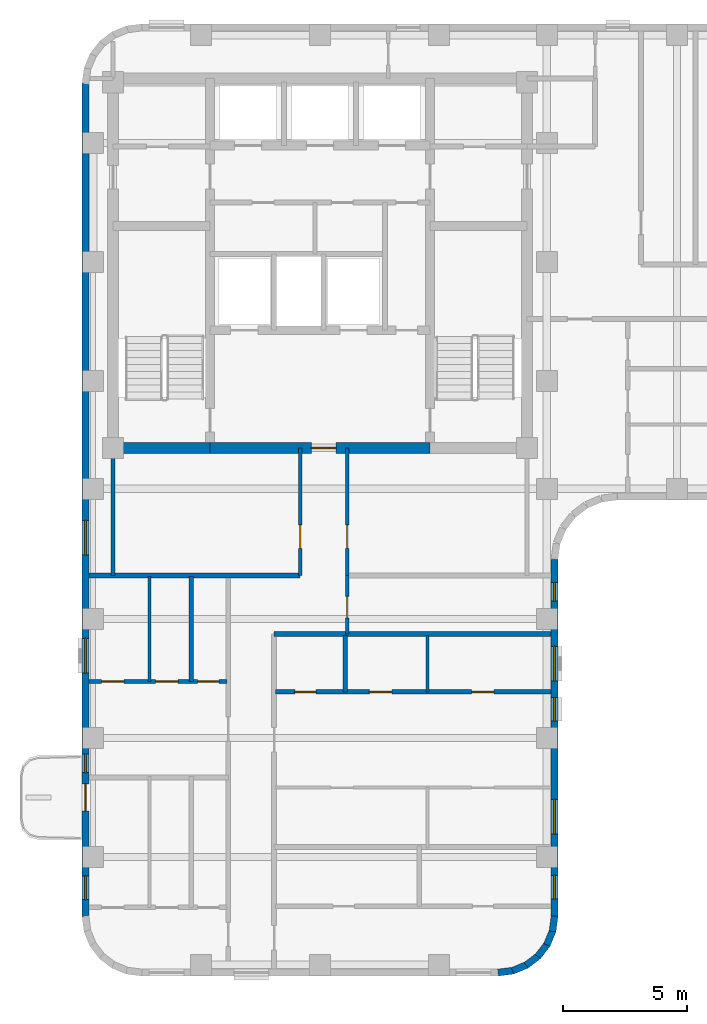
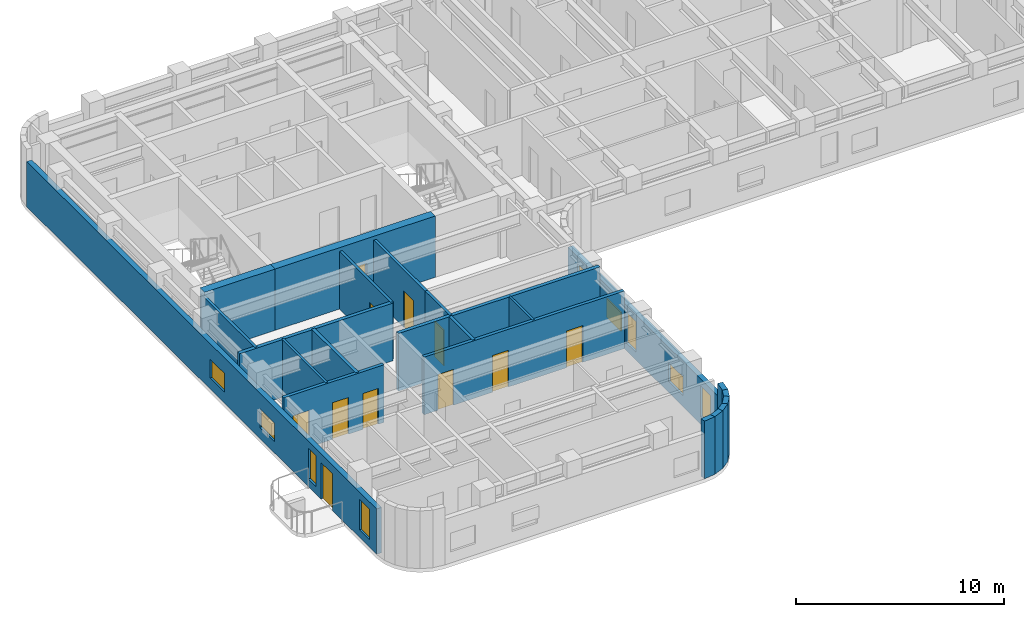
# One storey, part 3 of 10: 22 walls, 11 doors, 9 windows, 20 openings.
"""IFC4 building model written with IfcOpenShell, lengths in metres."""

import ifcopenshell
import ifcopenshell.guid

model = None  # the IFC model being written
_history = None  # IfcOwnerHistory: only IFC2X3 demands one
_inside = {}  # id of a spatial element -> (the spatial element, [elements in it])
_under = {}  # id of a project, library or spatial element -> (it, [spatial elements below it])
_declared = {}  # id of a project -> (the project, [libraries it declares])
_typed = {}  # id of a type object -> (the type object, [elements of that type])
_made_of = {}  # id of a material, layer set ... -> (it, [elements and type objects made of it])


def new_model(schema):
    """Start an empty IFC model of exactly this schema.

    Asked for "IFC4X3", IfcOpenShell would pick the latest addendum, in which some entities
    have other attributes; the version numbers below select the first issue.
    IFC2X3 requires an IfcOwnerHistory on every rooted entity: one is made here for all.
    """
    global model, _history
    if schema == "IFC4X3":
        model = ifcopenshell.file(schema_version=(4, 3, 0, 0))
    else:
        model = ifcopenshell.file(schema=schema)
    _inside.clear()
    _under.clear()
    _declared.clear()
    _typed.clear()
    _made_of.clear()
    _history = None
    if model.schema == "IFC2X3":
        org = make("IfcOrganization", Name="unknown")
        user = make(
            "IfcPersonAndOrganization",
            ThePerson=make("IfcPerson", FamilyName="unknown"),
            TheOrganization=org,
        )
        app = make(
            "IfcApplication",
            ApplicationDeveloper=org,
            Version="unknown",
            ApplicationFullName="unknown",
            ApplicationIdentifier="unknown",
        )
        _history = make(
            "IfcOwnerHistory",
            OwningUser=user,
            OwningApplication=app,
            ChangeAction="ADDED",
            CreationDate=0,
        )
    return model


def make(cls, **values):
    """One entity of the class cls with the attributes given. An attribute that is None is left unset."""
    return model.create_entity(
        cls, **{name: value for name, value in values.items() if value is not None}
    )


def rooted(cls, **values):
    """An entity with a GlobalId (a new one), such as an element, a storey or a relation."""
    return make(cls, GlobalId=ifcopenshell.guid.new(), OwnerHistory=_history, **values)


def si_unit(unit_type, name, prefix=None):
    """IfcSIUnit, for example si_unit("LENGTHUNIT", "METRE", prefix="MILLI")."""
    return make("IfcSIUnit", UnitType=unit_type, Prefix=prefix, Name=name)


def assignment(units):
    """IfcUnitAssignment: the units of a project."""
    return None if units is None else make("IfcUnitAssignment", Units=units)


def point(xyz):
    """IfcCartesianPoint."""
    return None if xyz is None else make("IfcCartesianPoint", Coordinates=xyz)


def direction(xyz):
    """IfcDirection."""
    return None if xyz is None else make("IfcDirection", DirectionRatios=xyz)


def frame(location, z_axis=None, x_axis=None):
    """IfcAxis2Placement3D, a coordinate frame: its origin and axes. An axis left out is left unset."""
    return make(
        "IfcAxis2Placement3D",
        Location=point(location),
        Axis=direction(z_axis),
        RefDirection=direction(x_axis),
    )


def frame_2d(location, x_axis=None):
    """IfcAxis2Placement2D, a coordinate frame in the plane: its origin and x axis."""
    return make(
        "IfcAxis2Placement2D", Location=point(location), RefDirection=direction(x_axis)
    )


def origin():
    """The frame at (0, 0, 0) with its axes left unset."""
    return frame((0.0, 0.0, 0.0))


def place(relative_to, where):
    """IfcLocalPlacement: puts the frame where relative to a parent placement (None: the world)."""
    return make(
        "IfcLocalPlacement", PlacementRelTo=relative_to, RelativePlacement=where
    )


def context(
    kind, dimensions, precision=None, world=None, true_north=None, identifier=None
):
    """IfcGeometricRepresentationContext, for example the 3D "Model" context."""
    return make(
        "IfcGeometricRepresentationContext",
        ContextIdentifier=identifier,
        ContextType=kind,
        CoordinateSpaceDimension=dimensions,
        Precision=precision,
        WorldCoordinateSystem=world,
        TrueNorth=true_north,
    )


def subcontext(parent, identifier, kind, view, scale=None):
    """IfcGeometricRepresentationSubContext, for example "Body" below "Model"."""
    return make(
        "IfcGeometricRepresentationSubContext",
        ContextIdentifier=identifier,
        ContextType=kind,
        ParentContext=parent,
        TargetScale=scale,
        TargetView=view,
    )


def project(units=None, contexts=None):
    """IfcProject with its units and contexts."""
    return rooted(
        "IfcProject",
        Name="project",
        RepresentationContexts=contexts,
        UnitsInContext=assignment(units),
    )


def spatial(cls, under=None, at=None, **own):
    """A site, building, storey or space (cls), placed at a placement, below another one or the project."""
    s = rooted(cls, ObjectPlacement=at, **own)
    if under is not None:
        _under.setdefault(under.id(), (under, []))[1].append(s)
    return s


def profile(cls, at=None, kind="AREA", **sizes):
    """A parametric profile (cls). Its sizes go by their IFC names, for example OverallWidth=200.0."""
    return make(cls, ProfileType=kind, Position=at, **sizes)


def rectangle(**sizes):
    """IfcRectangleProfileDef."""
    return profile("IfcRectangleProfileDef", **sizes)


def extrude(swept, where, along, depth):
    """IfcExtrudedAreaSolid: the profile swept, set in the frame where, extruded along a direction by depth."""
    return make(
        "IfcExtrudedAreaSolid",
        SweptArea=swept,
        Position=where,
        ExtrudedDirection=direction(along),
        Depth=depth,
    )


def shape(context_of_items, identifier, shape_type, items):
    """IfcShapeRepresentation: the items that make up one representation, for example the "Body"."""
    return make(
        "IfcShapeRepresentation",
        ContextOfItems=context_of_items,
        RepresentationIdentifier=identifier,
        RepresentationType=shape_type,
        Items=items,
    )


def material(Name=None, Category=None):
    """IfcMaterial."""
    return make("IfcMaterial", Name=Name, Category=Category)


def layer(
    of_material, thickness, ventilated=None, Name=None, Category=None, Priority=None
):
    """IfcMaterialLayer: one layer of a wall or slab, of a material (None: an air gap)."""
    return make(
        "IfcMaterialLayer",
        Material=of_material,
        LayerThickness=thickness,
        IsVentilated=ventilated,
        Name=Name,
        Category=Category,
        Priority=Priority,
    )


def layer_set(layers, Name=None):
    """IfcMaterialLayerSet."""
    return make("IfcMaterialLayerSet", MaterialLayers=layers, LayerSetName=Name)


def made_of(thing, what):
    """Note that an element or type object is made of a material, layer set ...; save() writes the relation."""
    if what is not None:
        _made_of.setdefault(what.id(), (what, []))[1].append(thing)
    return thing


def type_object(cls, material=None, **own):
    """A type object (cls), such as IfcWallType, which elements share."""
    return made_of(rooted(cls, **own), material)


def element(
    cls,
    number,
    at=None,
    inside=None,
    cuts=None,
    type_object=None,
    material=None,
    context=None,
    identifier="Body",
    shape_type=None,
    held_by="IfcProductDefinitionShape",
    body=None,
    shapes=None,
    **own,
):
    """One element of the class cls, such as IfcWall. Its Tag is "e" and its number.

    at: its placement. inside: the storey or other place that contains it. cuts: it is an
    opening in that element (IfcRelVoidsElement). A single representation is given by context,
    identifier, shape_type and body (its items); several are given by shapes. held_by: the class
    of the entity that holds the representations. save() writes the other relations.
    """
    e = rooted(cls, Tag="e%d" % number, ObjectPlacement=at, **own)
    if body is not None:
        shapes = [shape(context, identifier, shape_type, body)]
    if shapes is not None:
        e.Representation = make(held_by, Representations=shapes)
    if inside is not None:
        _inside.setdefault(inside.id(), (inside, []))[1].append(e)
    if cuts is not None:
        rooted(
            "IfcRelVoidsElement", RelatingBuildingElement=cuts, RelatedOpeningElement=e
        )
    if type_object is not None:
        _typed.setdefault(type_object.id(), (type_object, []))[1].append(e)
    return made_of(e, material)


def fill(opening, filler):
    """IfcRelFillsElement: the door or window that sits in an opening."""
    return rooted(
        "IfcRelFillsElement",
        RelatingOpeningElement=opening,
        RelatedBuildingElement=filler,
    )


def aggregate(whole, parts):
    """IfcRelAggregates: a whole, such as a stair, and the parts it consists of."""
    return rooted("IfcRelAggregates", RelatingObject=whole, RelatedObjects=parts)


def save(model, path):
    """Write the relations noted so far, then the file.

    IfcRelAggregates (storeys below a building ...), IfcRelContainedInSpatialStructure (elements
    in a storey), IfcRelDefinesByType, IfcRelAssociatesMaterial and IfcRelDeclares: one each for
    every whole, place, type object, material and project.
    """
    for whole, parts in _under.values():
        aggregate(whole, parts)
    for where, things in _inside.values():
        rooted(
            "IfcRelContainedInSpatialStructure",
            RelatedElements=things,
            RelatingStructure=where,
        )
    for kind, things in _typed.values():
        rooted("IfcRelDefinesByType", RelatedObjects=things, RelatingType=kind)
    for what, things in _made_of.values():
        rooted("IfcRelAssociatesMaterial", RelatedObjects=things, RelatingMaterial=what)
    for by, libraries in _declared.values():
        rooted("IfcRelDeclares", RelatingContext=by, RelatedDefinitions=libraries)
    model.write(path)


model = new_model("IFC4")

# Units and contexts
model_context = context("Model", 3, precision=1e-05, world=origin(), true_north=direction((0.0, 1.0)))
body_context = subcontext(model_context, "Body", "Model", "MODEL_VIEW")
ifc_project = project(units=[si_unit("LENGTHUNIT", "METRE"), si_unit("AREAUNIT", "SQUARE_METRE"), si_unit("VOLUMEUNIT", "CUBIC_METRE"), si_unit("PLANEANGLEUNIT", "RADIAN"), si_unit("MASSUNIT", "GRAM", prefix="KILO")], contexts=[model_context])

# Site, building, storey
site_placement = place(None, origin())
site = spatial("IfcSite", under=ifc_project, at=site_placement, CompositionType="ELEMENT")
building_placement = place(site_placement, origin())
building = spatial("IfcBuilding", under=site, at=building_placement, Name="Orvandelia Arch Residences", CompositionType="ELEMENT")
storey_placement = place(building_placement, frame((0.0, 0.0, 225.39990234375)))
storey = spatial("IfcBuildingStorey", under=building, at=storey_placement, Name="L59", CompositionType="ELEMENT", Elevation=225.39990234375)

# Wall
ifc_material_1 = material(Name="Concrete C50/60", Category="concrete")
ifc_layer_1 = layer(ifc_material_1, 0.449951171875, Name="Concrete C50/60", Category="concrete")
ifc_layer_set_1 = layer_set([ifc_layer_1], Name="Concrete C50/60")
wall_type_1 = type_object("IfcWallType", Name="WL-CORE-450", PredefinedType="SHEAR", material=ifc_layer_set_1)
wall_1_placement = place(storey_placement, frame((6.050048828125, 30.89990234375, 0.0), z_axis=(0.0, 0.0, 1.0), x_axis=(1.0, 0.0, 0.0)))
element("IfcWall", 1, at=wall_1_placement, inside=storey, type_object=wall_type_1, Name="Core Shear Wall L59-SW", PredefinedType="SHEAR", context=body_context, shape_type="SweptSolid", body=[
    extrude(rectangle(XDim=3.909912109375, YDim=0.449951171875, at=frame_2d((1.955078125, 0.0))), origin(), (0.0, 0.0, 1.0), 3.60009765625),
])

# Wall, opening, door
wall_2_placement = place(storey_placement, frame((9.9599609375, 30.89990234375, 0.0), z_axis=(0.0, 0.0, 1.0), x_axis=(1.0, 0.0, 0.0)))
wall_2 = element("IfcWall", 2, at=wall_2_placement, inside=storey, type_object=wall_type_1, Name="Core Shear Wall L59-SM", PredefinedType="SHEAR", context=body_context, shape_type="SweptSolid", body=[
    extrude(rectangle(XDim=8.880126953125, YDim=0.449951171875, at=frame_2d((4.43994140625, 0.0))), origin(), (0.0, 0.0, 1.0), 3.60009765625),
])
opening_1_placement = place(wall_2_placement, frame((4.090087890625, 0.0, 0.0)))
opening_1 = element("IfcOpeningElement", 3, at=opening_1_placement, cuts=wall_2, Name="Opening D6", PredefinedType="OPENING", context=body_context, shape_type="SweptSolid", body=[
    extrude(rectangle(XDim=1.0, YDim=2.14990234375, at=frame_2d((0.5, 1.074951171875))), frame((0.0, 0.23486328125, 0.0), z_axis=(0.0, -1.0, 0.0), x_axis=(1.0, 0.0, 0.0)), (0.0, 0.0, 1.0), 0.469970703125),
])
ifc_material_2 = material(Name="Smokeproof Painted Steel Fire Door", Category="steel")
door_type_1 = type_object("IfcDoorType", Name="DR-FD60-1000", OperationType="NOTDEFINED", PredefinedType="DOOR", material=ifc_material_2)
door_1_placement = place(opening_1_placement, origin())
door_1 = element("IfcDoor", 4, at=door_1_placement, inside=storey, type_object=door_type_1, Name="Firefighting Lobby Smokeproof Door L59", OperationType="SINGLE_SWING_LEFT", OverallHeight=2.14990234375, OverallWidth=1.0, PredefinedType="DOOR", context=body_context, shape_type="SweptSolid", body=[
    extrude(rectangle(XDim=1.0, YDim=2.14990234375, at=frame_2d((0.5, 1.074951171875))), frame((0.0, 0.02490234375, 0.0), z_axis=(0.0, -1.0, 0.0), x_axis=(1.0, 0.0, 0.0)), (0.0, 0.0, 1.0), 0.050048828125),
])
fill(opening_1, door_1)

# Walls
ifc_material_3 = material(Name="Fire-Rated Corridor Partition")
ifc_layer_2 = layer(ifc_material_3, 0.199951171875, Name="Fire-Rated Corridor Partition")
ifc_layer_set_2 = layer_set([ifc_layer_2], Name="Fire-Rated Corridor Partition")
wall_type_2 = type_object("IfcWallType", Name="WL-CORR-200", PredefinedType="PARTITIONING", material=ifc_layer_set_2)
wall_3_placement = place(storey_placement, frame((12.550048828125, 23.39990234375, 0.0), z_axis=(0.0, 0.0, 1.0), x_axis=(1.0, 0.0, 0.0)))
element("IfcWall", 5, at=wall_3_placement, inside=storey, type_object=wall_type_2, Name="Interior Partition Wall WL-L59-WLNK-S", PredefinedType="PARTITIONING", context=body_context, shape_type="SweptSolid", body=[
    extrude(rectangle(XDim=11.169921875, YDim=0.199951171875, at=frame_2d((5.5849609375, 0.0))), origin(), (0.0, 0.0, 1.0), 3.380126953125),
])
wall_4_placement = place(storey_placement, frame((5.080078125, 25.75, 0.0), z_axis=(0.0, 0.0, 1.0), x_axis=(1.0, 0.0, 0.0)))
element("IfcWall", 6, at=wall_4_placement, inside=storey, type_object=wall_type_2, Name="Interior Partition Wall WL-L59-WLNK-N", PredefinedType="PARTITIONING", context=body_context, shape_type="SweptSolid", body=[
    extrude(rectangle(XDim=8.52001953125, YDim=0.199951171875, at=frame_2d((4.260009765625, 0.0))), origin(), (0.0, 0.0, 1.0), 3.380126953125),
])

# Wall, openings, windows
ifc_material_4 = material(Name="Precast concrete C40/50", Category="concrete")
ifc_layer_3 = layer(ifc_material_4, 0.280029296875, Name="Precast concrete C40/50", Category="concrete")
ifc_layer_set_3 = layer_set([ifc_layer_3], Name="Precast concrete C40/50")
wall_type_3 = type_object("IfcWallType", Name="WL-EXT-STONE-280", PredefinedType="STANDARD", material=ifc_layer_set_3)
wall_5_placement = place(storey_placement, frame((23.860107421875, 26.39990234375, 0.0), z_axis=(0.0, 0.0, 1.0), x_axis=(0.0, -1.0, 0.0)))
wall_5 = element("IfcWall", 7, at=wall_5_placement, inside=storey, type_object=wall_type_3, Name="Coral-Limestone Precast Facade Wall L59-028", PredefinedType="STANDARD", context=body_context, shape_type="SweptSolid", body=[
    extrude(rectangle(XDim=14.39990234375, YDim=0.280029296875, at=frame_2d((7.199951171875, 0.0))), origin(), (0.0, 0.0, 1.0), 2.66015625),
])
opening_2_placement = place(wall_5_placement, frame((3.5, 0.0, 0.64990234375)))
opening_2 = element("IfcOpeningElement", 8, at=opening_2_placement, cuts=wall_5, Name="Opening W10", PredefinedType="OPENING", context=body_context, shape_type="SweptSolid", body=[
    extrude(rectangle(XDim=1.39990234375, YDim=1.10009765625, at=frame_2d((0.699951171875, 0.550048828125))), frame((0.0, 0.14990234375, 0.0), z_axis=(0.0, -1.0, 0.0), x_axis=(1.0, 0.0, 0.0)), (0.0, 0.0, 1.0), 0.300048828125),
])
opening_3_placement = place(wall_5_placement, frame((9.678466796875, 0.0, 0.64990234375)))
opening_3 = element("IfcOpeningElement", 9, at=opening_3_placement, cuts=wall_5, Name="Opening W10", PredefinedType="OPENING", context=body_context, shape_type="SweptSolid", body=[
    extrude(rectangle(XDim=1.39990234375, YDim=1.10009765625, at=frame_2d((0.699951171875, 0.550048828125))), frame((0.0, 0.14990234375, 0.0), z_axis=(0.0, -1.0, 0.0), x_axis=(1.0, 0.0, 0.0)), (0.0, 0.0, 1.0), 0.300048828125),
])
opening_4_placement = place(wall_5_placement, frame((12.742431640625, 0.0, 0.449951171875)))
opening_4 = element("IfcOpeningElement", 10, at=opening_4_placement, cuts=wall_5, Name="Opening W4", PredefinedType="OPENING", context=body_context, shape_type="SweptSolid", body=[
    extrude(rectangle(XDim=0.949951171875, YDim=1.800048828125, at=frame_2d((0.47509765625, 0.89990234375))), frame((0.0, 0.14990234375, 0.0), z_axis=(0.0, -1.0, 0.0), x_axis=(1.0, 0.0, 0.0)), (0.0, 0.0, 1.0), 0.300048828125),
])
opening_5_placement = place(wall_5_placement, frame((5.572509765625, 0.0, 0.449951171875)))
opening_5 = element("IfcOpeningElement", 11, at=opening_5_placement, cuts=wall_5, Name="Opening W4", PredefinedType="OPENING", context=body_context, shape_type="SweptSolid", body=[
    extrude(rectangle(XDim=0.949951171875, YDim=1.800048828125, at=frame_2d((0.47509765625, 0.89990234375))), frame((0.0, 0.14990234375, 0.0), z_axis=(0.0, -1.0, 0.0), x_axis=(1.0, 0.0, 0.0)), (0.0, 0.0, 1.0), 0.300048828125),
])
opening_6_placement = place(wall_5_placement, frame((0.9326171875, 0.0, 0.449951171875)))
opening_6 = element("IfcOpeningElement", 12, at=opening_6_placement, cuts=wall_5, Name="Opening W11", PredefinedType="OPENING", context=body_context, shape_type="SweptSolid", body=[
    extrude(rectangle(XDim=0.75, YDim=1.800048828125, at=frame_2d((0.375, 0.89990234375))), frame((0.0, 0.14990234375, 0.0), z_axis=(0.0, -1.0, 0.0), x_axis=(1.0, 0.0, 0.0)), (0.0, 0.0, 1.0), 0.300048828125),
])
ifc_material_5 = material(Name="Tempered Low-E Insulated Glazing", Category="glass")
window_type_1 = type_object("IfcWindowType", Name="WIN-BED-0750x1800", PartitioningType="SINGLE_PANEL", PredefinedType="WINDOW", material=ifc_material_5)
window_1_placement = place(opening_6_placement, origin())
window_1 = element("IfcWindow", 13, at=window_1_placement, inside=storey, type_object=window_type_1, Name="Recessed Punched Window L59-022", OverallHeight=1.800048828125, OverallWidth=0.75, PartitioningType="SINGLE_PANEL", PredefinedType="WINDOW", context=body_context, shape_type="SweptSolid", body=[
    extrude(rectangle(XDim=0.75, YDim=1.800048828125, at=frame_2d((0.375, 0.89990234375))), frame((0.0, 0.030029296875, 0.0), z_axis=(0.0, -1.0, 0.0), x_axis=(1.0, 0.0, 0.0)), (0.0, 0.0, 1.0), 0.06005859375),
])
fill(opening_6, window_1)
window_type_2 = type_object("IfcWindowType", Name="WIN-CLR-1400x1100", PartitioningType="SINGLE_PANEL", PredefinedType="WINDOW", material=ifc_material_5)
window_2_placement = place(opening_2_placement, origin())
window_2 = element("IfcWindow", 14, at=window_2_placement, inside=storey, type_object=window_type_2, Name="Recessed Punched Window L59-018", OverallHeight=1.10009765625, OverallWidth=1.39990234375, PartitioningType="SINGLE_PANEL", PredefinedType="WINDOW", context=body_context, shape_type="SweptSolid", body=[
    extrude(rectangle(XDim=1.39990234375, YDim=1.10009765625, at=frame_2d((0.699951171875, 0.550048828125))), frame((0.0, 0.030029296875, 0.0), z_axis=(0.0, -1.0, 0.0), x_axis=(1.0, 0.0, 0.0)), (0.0, 0.0, 1.0), 0.06005859375),
])
fill(opening_2, window_2)
window_3_placement = place(opening_3_placement, origin())
window_3 = element("IfcWindow", 15, at=window_3_placement, inside=storey, type_object=window_type_2, Name="Recessed Punched Window L59-019", OverallHeight=1.10009765625, OverallWidth=1.39990234375, PartitioningType="SINGLE_PANEL", PredefinedType="WINDOW", context=body_context, shape_type="SweptSolid", body=[
    extrude(rectangle(XDim=1.39990234375, YDim=1.10009765625, at=frame_2d((0.699951171875, 0.550048828125))), frame((0.0, 0.030029296875, 0.0), z_axis=(0.0, -1.0, 0.0), x_axis=(1.0, 0.0, 0.0)), (0.0, 0.0, 1.0), 0.06005859375),
])
fill(opening_3, window_3)
window_type_3 = type_object("IfcWindowType", Name="WIN-RES-0950x1800", PartitioningType="SINGLE_PANEL", PredefinedType="WINDOW", material=ifc_material_5)
window_4_placement = place(opening_4_placement, origin())
window_4 = element("IfcWindow", 16, at=window_4_placement, inside=storey, type_object=window_type_3, Name="Recessed Punched Window L59-020", OverallHeight=1.800048828125, OverallWidth=0.949951171875, PartitioningType="SINGLE_PANEL", PredefinedType="WINDOW", context=body_context, shape_type="SweptSolid", body=[
    extrude(rectangle(XDim=0.949951171875, YDim=1.800048828125, at=frame_2d((0.47509765625, 0.89990234375))), frame((0.0, 0.030029296875, 0.0), z_axis=(0.0, -1.0, 0.0), x_axis=(1.0, 0.0, 0.0)), (0.0, 0.0, 1.0), 0.06005859375),
])
fill(opening_4, window_4)
window_5_placement = place(opening_5_placement, origin())
window_5 = element("IfcWindow", 17, at=window_5_placement, inside=storey, type_object=window_type_3, Name="Recessed Punched Window L59-021", OverallHeight=1.800048828125, OverallWidth=0.949951171875, PartitioningType="SINGLE_PANEL", PredefinedType="WINDOW", context=body_context, shape_type="SweptSolid", body=[
    extrude(rectangle(XDim=0.949951171875, YDim=1.800048828125, at=frame_2d((0.47509765625, 0.89990234375))), frame((0.0, 0.030029296875, 0.0), z_axis=(0.0, -1.0, 0.0), x_axis=(1.0, 0.0, 0.0)), (0.0, 0.0, 1.0), 0.06005859375),
])
fill(opening_5, window_5)

# Walls
for number, where, z_axis, x_axis, name in (
    (18, (23.861083984375, 12.018310546875, 0.0), (0.0, 0.0, 1.0), (-0.130555323746, -0.9914410257, 0.0), "Coral-Limestone Precast Facade Wall L59-029"),
    (19, (23.788818359375, 11.432373046875, 0.0), (0.0, 0.0, 1.0), (-0.382317370307, -0.924031075431, 0.0), "Coral-Limestone Precast Facade Wall L59-030"),
    (20, (23.5673828125, 10.88525390625, 0.0), (0.0, 0.0, 1.0), (-0.608693302629, -0.793405610854, 0.0), "Coral-Limestone Precast Facade Wall L59-031"),
    (21, (23.2119140625, 10.4140625, 0.0), (0.0, 0.0, 1.0), (-0.793405610854, -0.608693302629, 0.0), "Coral-Limestone Precast Facade Wall L59-032"),
    (22, (22.746337890625, 10.05078125, 0.0), (0.0, 0.0, 1.0), (-0.92389335771, -0.382650053678, 0.0), "Coral-Limestone Precast Facade Wall L59-033"),
    (23, (22.202880859375, 9.820556640625, 0.0), (0.0, 0.0, 1.0), (-0.9914410257, -0.130555323746, 0.0), "Coral-Limestone Precast Facade Wall L59-034"),
):
    element("IfcWall", number, at=place(storey_placement, frame(where, z_axis=z_axis, x_axis=x_axis)), inside=storey, type_object=wall_type_3, Name=name, PredefinedType="STANDARD", context=body_context, shape_type="SweptSolid", body=[
        extrude(rectangle(XDim=0.62646484375, YDim=0.280029296875, at=frame_2d((0.313232421875, 0.0))), origin(), (0.0, 0.0, 1.0), 3.380126953125),
    ])

# Wall, openings, door, windows
wall_6_placement = place(storey_placement, frame((4.93994140625, 12.0, 0.0), z_axis=(0.0, 0.0, 1.0), x_axis=(0.0, 1.0, 0.0)))
wall_6 = element("IfcWall", 24, at=wall_6_placement, inside=storey, type_object=wall_type_3, Name="Coral-Limestone Precast Facade Wall L59-042", PredefinedType="STANDARD", context=body_context, shape_type="SweptSolid", body=[
    extrude(rectangle(XDim=33.60009765625, YDim=0.280029296875, at=frame_2d((16.800048828125, 0.0))), origin(), (0.0, 0.0, 1.0), 2.66015625),
])
opening_7_placement = place(wall_6_placement, frame((4.25, 0.0, 0.0)))
opening_7 = element("IfcOpeningElement", 25, at=opening_7_placement, cuts=wall_6, Name="Opening BD1", PredefinedType="OPENING", context=body_context, shape_type="SweptSolid", body=[
    extrude(rectangle(XDim=1.10009765625, YDim=2.14990234375, at=frame_2d((0.550048828125, 1.074951171875))), frame((0.0, 0.14990234375, 0.0), z_axis=(0.0, -1.0, 0.0), x_axis=(1.0, 0.0, 0.0)), (0.0, 0.0, 1.0), 0.300048828125),
])
opening_8_placement = place(wall_6_placement, frame((0.685546875, 0.0, 0.449951171875)))
opening_8 = element("IfcOpeningElement", 26, at=opening_8_placement, cuts=wall_6, Name="Opening W4", PredefinedType="OPENING", context=body_context, shape_type="SweptSolid", body=[
    extrude(rectangle(XDim=0.949951171875, YDim=1.800048828125, at=frame_2d((0.47509765625, 0.89990234375))), frame((0.0, 0.14990234375, 0.0), z_axis=(0.0, -1.0, 0.0), x_axis=(1.0, 0.0, 0.0)), (0.0, 0.0, 1.0), 0.300048828125),
])
opening_9_placement = place(wall_6_placement, frame((9.8173828125, 0.0, 0.64990234375)))
opening_9 = element("IfcOpeningElement", 27, at=opening_9_placement, cuts=wall_6, Name="Opening W10", PredefinedType="OPENING", context=body_context, shape_type="SweptSolid", body=[
    extrude(rectangle(XDim=1.39990234375, YDim=1.10009765625, at=frame_2d((0.699951171875, 0.550048828125))), frame((0.0, 0.14990234375, 0.0), z_axis=(0.0, -1.0, 0.0), x_axis=(1.0, 0.0, 0.0)), (0.0, 0.0, 1.0), 0.300048828125),
])
opening_10_placement = place(wall_6_placement, frame((5.802490234375, 0.0, 0.449951171875)))
opening_10 = element("IfcOpeningElement", 28, at=opening_10_placement, cuts=wall_6, Name="Opening W11", PredefinedType="OPENING", context=body_context, shape_type="SweptSolid", body=[
    extrude(rectangle(XDim=0.75, YDim=1.800048828125, at=frame_2d((0.375, 0.89990234375))), frame((0.0, 0.14990234375, 0.0), z_axis=(0.0, -1.0, 0.0), x_axis=(1.0, 0.0, 0.0)), (0.0, 0.0, 1.0), 0.300048828125),
])
opening_11_placement = place(wall_6_placement, frame((14.58251953125, 0.0, 0.64990234375)))
opening_11 = element("IfcOpeningElement", 29, at=opening_11_placement, cuts=wall_6, Name="Opening W10", PredefinedType="OPENING", context=body_context, shape_type="SweptSolid", body=[
    extrude(rectangle(XDim=1.39990234375, YDim=1.10009765625, at=frame_2d((0.699951171875, 0.550048828125))), frame((0.0, 0.14990234375, 0.0), z_axis=(0.0, -1.0, 0.0), x_axis=(1.0, 0.0, 0.0)), (0.0, 0.0, 1.0), 0.300048828125),
])
ifc_material_6 = material(Name="Thermally Broken Aluminium Glazed Door", Category="aluminium")
door_type_2 = type_object("IfcDoorType", Name="DR-BAL-GLAZ-1100", OperationType="NOTDEFINED", PredefinedType="DOOR", material=ifc_material_6)
door_2_placement = place(opening_7_placement, origin())
door_2 = element("IfcDoor", 30, at=door_2_placement, inside=storey, type_object=door_type_2, Name="Tree Balcony Glazed Door BAL-L59-W1", OperationType="SINGLE_SWING_RIGHT", OverallHeight=2.14990234375, OverallWidth=1.10009765625, PredefinedType="DOOR", context=body_context, shape_type="SweptSolid", body=[
    extrude(rectangle(XDim=1.10009765625, YDim=2.14990234375, at=frame_2d((0.550048828125, 1.074951171875))), frame((0.0, 0.02490234375, 0.0), z_axis=(0.0, -1.0, 0.0), x_axis=(1.0, 0.0, 0.0)), (0.0, 0.0, 1.0), 0.050048828125),
])
fill(opening_7, door_2)
window_6_placement = place(opening_10_placement, origin())
window_6 = element("IfcWindow", 31, at=window_6_placement, inside=storey, type_object=window_type_1, Name="Recessed Punched Window L59-028", OverallHeight=1.800048828125, OverallWidth=0.75, PartitioningType="SINGLE_PANEL", PredefinedType="WINDOW", context=body_context, shape_type="SweptSolid", body=[
    extrude(rectangle(XDim=0.75, YDim=1.800048828125, at=frame_2d((0.375, 0.89990234375))), frame((0.0, 0.030029296875, 0.0), z_axis=(0.0, -1.0, 0.0), x_axis=(1.0, 0.0, 0.0)), (0.0, 0.0, 1.0), 0.06005859375),
])
fill(opening_10, window_6)
window_7_placement = place(opening_9_placement, origin())
window_7 = element("IfcWindow", 32, at=window_7_placement, inside=storey, type_object=window_type_2, Name="Recessed Punched Window L59-027", OverallHeight=1.10009765625, OverallWidth=1.39990234375, PartitioningType="SINGLE_PANEL", PredefinedType="WINDOW", context=body_context, shape_type="SweptSolid", body=[
    extrude(rectangle(XDim=1.39990234375, YDim=1.10009765625, at=frame_2d((0.699951171875, 0.550048828125))), frame((0.0, 0.030029296875, 0.0), z_axis=(0.0, -1.0, 0.0), x_axis=(1.0, 0.0, 0.0)), (0.0, 0.0, 1.0), 0.06005859375),
])
fill(opening_9, window_7)
window_8_placement = place(opening_11_placement, origin())
window_8 = element("IfcWindow", 33, at=window_8_placement, inside=storey, type_object=window_type_2, Name="Recessed Punched Window L59-029", OverallHeight=1.10009765625, OverallWidth=1.39990234375, PartitioningType="SINGLE_PANEL", PredefinedType="WINDOW", context=body_context, shape_type="SweptSolid", body=[
    extrude(rectangle(XDim=1.39990234375, YDim=1.10009765625, at=frame_2d((0.699951171875, 0.550048828125))), frame((0.0, 0.030029296875, 0.0), z_axis=(0.0, -1.0, 0.0), x_axis=(1.0, 0.0, 0.0)), (0.0, 0.0, 1.0), 0.06005859375),
])
fill(opening_11, window_8)
window_9_placement = place(opening_8_placement, origin())
window_9 = element("IfcWindow", 34, at=window_9_placement, inside=storey, type_object=window_type_3, Name="Recessed Punched Window L59-026", OverallHeight=1.800048828125, OverallWidth=0.949951171875, PartitioningType="SINGLE_PANEL", PredefinedType="WINDOW", context=body_context, shape_type="SweptSolid", body=[
    extrude(rectangle(XDim=0.949951171875, YDim=1.800048828125, at=frame_2d((0.47509765625, 0.89990234375))), frame((0.0, 0.030029296875, 0.0), z_axis=(0.0, -1.0, 0.0), x_axis=(1.0, 0.0, 0.0)), (0.0, 0.0, 1.0), 0.06005859375),
])
fill(opening_8, window_9)

# Walls
ifc_material_7 = material(Name="Lightweight Gypsum Stud Partition")
ifc_layer_4 = layer(ifc_material_7, 0.1201171875, Name="Lightweight Gypsum Stud Partition")
ifc_layer_set_4 = layer_set([ifc_layer_4], Name="Lightweight Gypsum Stud Partition")
wall_type_4 = type_object("IfcWallType", Name="WL-PART-120", PredefinedType="PARTITIONING", material=ifc_layer_set_4)
wall_7_placement = place(storey_placement, frame((7.514892578125, 21.47998046875, 0.0), z_axis=(0.0, 0.0, 1.0), x_axis=(0.0, 1.0, 0.0)))
element("IfcWall", 35, at=wall_7_placement, inside=storey, type_object=wall_type_4, Name="Interior Partition Wall WL-L59-U02-V1", PredefinedType="PARTITIONING", context=body_context, shape_type="SweptSolid", body=[
    extrude(rectangle(XDim=4.239990234375, YDim=0.1201171875, at=frame_2d((2.1201171875, 0.0))), origin(), (0.0, 0.0, 1.0), 3.380126953125),
])
wall_8_placement = place(storey_placement, frame((18.73193359375, 21.06005859375, 0.0), z_axis=(0.0, 0.0, 1.0), x_axis=(0.0, 1.0, 0.0)))
element("IfcWall", 36, at=wall_8_placement, inside=storey, type_object=wall_type_4, Name="Interior Partition Wall WL-L59-U04-V2", PredefinedType="PARTITIONING", context=body_context, shape_type="SweptSolid", body=[
    extrude(rectangle(XDim=2.280029296875, YDim=0.1201171875, at=frame_2d((1.14013671875, 0.0))), origin(), (0.0, 0.0, 1.0), 3.380126953125),
])

# Wall, opening, door
ifc_material_8 = material(Name="Acoustic Gypsum Stud Partition")
ifc_layer_5 = layer(ifc_material_8, 0.14990234375, Name="Acoustic Gypsum Stud Partition")
ifc_layer_set_5 = layer_set([ifc_layer_5], Name="Acoustic Gypsum Stud Partition")
wall_type_5 = type_object("IfcWallType", Name="WL-PART-150", PredefinedType="PARTITIONING", material=ifc_layer_set_5)
wall_9_placement = place(storey_placement, frame((13.60009765625, 25.75, 0.0), z_axis=(0.0, 0.0, 1.0), x_axis=(0.0, 1.0, 0.0)))
wall_9 = element("IfcWall", 37, at=wall_9_placement, inside=storey, type_object=wall_type_5, Name="Interior Partition Wall WL-L59-HI-W1", PredefinedType="PARTITIONING", context=body_context, shape_type="SweptSolid", body=[
    extrude(rectangle(XDim=5.14990234375, YDim=0.14990234375, at=frame_2d((2.574951171875, 0.0))), origin(), (0.0, 0.0, 1.0), 3.380126953125),
])
opening_12_placement = place(wall_9_placement, frame((1.10009765625, 0.0, 0.0)))
opening_12 = element("IfcOpeningElement", 38, at=opening_12_placement, cuts=wall_9, Name="Opening D2", PredefinedType="OPENING", context=body_context, shape_type="SweptSolid", body=[
    extrude(rectangle(XDim=0.949951171875, YDim=2.14990234375, at=frame_2d((0.47509765625, 1.074951171875))), frame((0.0, 0.0849609375, 0.0), z_axis=(0.0, -1.0, 0.0), x_axis=(1.0, 0.0, 0.0)), (0.0, 0.0, 1.0), 0.169921875),
])
ifc_material_9 = material(Name="Solid-Core Timber Interior Fire Door", Category="wood")
door_type_3 = type_object("IfcDoorType", Name="DR-APT-950", OperationType="NOTDEFINED", PredefinedType="DOOR", material=ifc_material_9)
door_3_placement = place(opening_12_placement, origin())
door_3 = element("IfcDoor", 39, at=door_3_placement, inside=storey, type_object=door_type_3, Name="DR-L59-HIR1", OperationType="SINGLE_SWING_LEFT", OverallHeight=2.14990234375, OverallWidth=0.949951171875, PredefinedType="DOOR", context=body_context, shape_type="SweptSolid", body=[
    extrude(rectangle(XDim=0.949951171875, YDim=2.14990234375, at=frame_2d((0.47509765625, 1.074951171875))), frame((0.0, 0.02490234375, 0.0), z_axis=(0.0, -1.0, 0.0), x_axis=(1.0, 0.0, 0.0)), (0.0, 0.0, 1.0), 0.050048828125),
])
fill(opening_12, door_3)

wall_10_placement = place(storey_placement, frame((15.5, 25.75, 0.0), z_axis=(0.0, 0.0, 1.0), x_axis=(0.0, 1.0, 0.0)))
wall_10 = element("IfcWall", 40, at=wall_10_placement, inside=storey, type_object=wall_type_5, Name="Interior Partition Wall WL-L59-HI-W2", PredefinedType="PARTITIONING", context=body_context, shape_type="SweptSolid", body=[
    extrude(rectangle(XDim=5.14990234375, YDim=0.14990234375, at=frame_2d((2.574951171875, 0.0))), origin(), (0.0, 0.0, 1.0), 3.380126953125),
])
opening_13_placement = place(wall_10_placement, frame((1.10009765625, 0.0, 0.0)))
opening_13 = element("IfcOpeningElement", 41, at=opening_13_placement, cuts=wall_10, Name="Opening D2", PredefinedType="OPENING", context=body_context, shape_type="SweptSolid", body=[
    extrude(rectangle(XDim=0.949951171875, YDim=2.14990234375, at=frame_2d((0.47509765625, 1.074951171875))), frame((0.0, 0.0849609375, 0.0), z_axis=(0.0, -1.0, 0.0), x_axis=(1.0, 0.0, 0.0)), (0.0, 0.0, 1.0), 0.169921875),
])
door_4_placement = place(opening_13_placement, origin())
door_4 = element("IfcDoor", 42, at=door_4_placement, inside=storey, type_object=door_type_3, Name="DR-L59-HIR2", OperationType="SINGLE_SWING_RIGHT", OverallHeight=2.14990234375, OverallWidth=0.949951171875, PredefinedType="DOOR", context=body_context, shape_type="SweptSolid", body=[
    extrude(rectangle(XDim=0.949951171875, YDim=2.14990234375, at=frame_2d((0.47509765625, 1.074951171875))), frame((0.0, 0.02490234375, 0.0), z_axis=(0.0, -1.0, 0.0), x_axis=(1.0, 0.0, 0.0)), (0.0, 0.0, 1.0), 0.050048828125),
])
fill(opening_13, door_4)

# Wall
wall_11_placement = place(storey_placement, frame((6.050048828125, 25.75, 0.0), z_axis=(0.0, 0.0, 1.0), x_axis=(0.0, 1.0, 0.0)))
element("IfcWall", 43, at=wall_11_placement, inside=storey, type_object=wall_type_5, Name="Interior Partition Wall WL-L59-HI-WW", PredefinedType="PARTITIONING", context=body_context, shape_type="SweptSolid", body=[
    extrude(rectangle(XDim=5.14990234375, YDim=0.14990234375, at=frame_2d((2.574951171875, 0.0))), origin(), (0.0, 0.0, 1.0), 3.380126953125),
])

# Wall, opening, door
wall_12_placement = place(storey_placement, frame((15.5, 23.39990234375, 0.0), z_axis=(0.0, 0.0, 1.0), x_axis=(0.0, 1.0, 0.0)))
wall_12 = element("IfcWall", 44, at=wall_12_placement, inside=storey, type_object=wall_type_5, Name="Interior Partition Wall WL-L59-WLNK-E", PredefinedType="PARTITIONING", context=body_context, shape_type="SweptSolid", body=[
    extrude(rectangle(XDim=2.35009765625, YDim=0.14990234375, at=frame_2d((1.175048828125, 0.0))), origin(), (0.0, 0.0, 1.0), 3.380126953125),
])
opening_14_placement = place(wall_12_placement, frame((0.64990234375, 0.0, 0.0)))
opening_14 = element("IfcOpeningElement", 45, at=opening_14_placement, cuts=wall_12, Name="Opening D4", PredefinedType="OPENING", context=body_context, shape_type="SweptSolid", body=[
    extrude(rectangle(XDim=0.860107421875, YDim=2.10009765625, at=frame_2d((0.43017578125, 1.050048828125))), frame((0.0, 0.0849609375, 0.0), z_axis=(0.0, -1.0, 0.0), x_axis=(1.0, 0.0, 0.0)), (0.0, 0.0, 1.0), 0.169921875),
])
ifc_material_10 = material(Name="Moisture-Sealed Timber Bathroom Door", Category="wood")
door_type_4 = type_object("IfcDoorType", Name="DR-WET-900", OperationType="NOTDEFINED", PredefinedType="DOOR", material=ifc_material_10)
door_5_placement = place(opening_14_placement, origin())
door_5 = element("IfcDoor", 46, at=door_5_placement, inside=storey, type_object=door_type_4, Name="DR-L59-WLNKST", OperationType="SINGLE_SWING_RIGHT", OverallHeight=2.10009765625, OverallWidth=0.860107421875, PredefinedType="DOOR", context=body_context, shape_type="SweptSolid", body=[
    extrude(rectangle(XDim=0.860107421875, YDim=2.10009765625, at=frame_2d((0.43017578125, 1.050048828125))), frame((0.0, 0.02490234375, 0.0), z_axis=(0.0, -1.0, 0.0), x_axis=(1.0, 0.0, 0.0)), (0.0, 0.0, 1.0), 0.050048828125),
])
fill(opening_14, door_5)

# Wall, openings, doors
ifc_material_11 = material(Name="Moisture-Resistant Plumbing Wall")
ifc_layer_6 = layer(ifc_material_11, 0.179931640625, Name="Moisture-Resistant Plumbing Wall")
ifc_layer_set_6 = layer_set([ifc_layer_6], Name="Moisture-Resistant Plumbing Wall")
wall_type_6 = type_object("IfcWallType", Name="WL-WET-180", PredefinedType="PLUMBINGWALL", material=ifc_layer_set_6)
wall_13_placement = place(storey_placement, frame((5.080078125, 21.47998046875, 0.0), z_axis=(0.0, 0.0, 1.0), x_axis=(1.0, 0.0, 0.0)))
wall_13 = element("IfcWall", 47, at=wall_13_placement, inside=storey, type_object=wall_type_6, Name="Interior Partition Wall WL-L59-U02-HZ", PredefinedType="PLUMBINGWALL", context=body_context, shape_type="SweptSolid", body=[
    extrude(rectangle(XDim=5.559814453125, YDim=0.179931640625, at=frame_2d((2.77978515625, 0.0))), origin(), (0.0, 0.0, 1.0), 3.380126953125),
])
opening_15_placement = place(wall_13_placement, frame((0.51220703125, 0.0, 0.0)))
opening_15 = element("IfcOpeningElement", 48, at=opening_15_placement, cuts=wall_13, Name="Opening D3", PredefinedType="OPENING", context=body_context, shape_type="SweptSolid", body=[
    extrude(rectangle(XDim=0.89990234375, YDim=2.14990234375, at=frame_2d((0.449951171875, 1.074951171875))), frame((0.0, 0.10009765625, 0.0), z_axis=(0.0, -1.0, 0.0), x_axis=(1.0, 0.0, 0.0)), (0.0, 0.0, 1.0), 0.199951171875),
])
opening_16_placement = place(wall_13_placement, frame((2.695068359375, 0.0, 0.0)))
opening_16 = element("IfcOpeningElement", 49, at=opening_16_placement, cuts=wall_13, Name="Opening D3", PredefinedType="OPENING", context=body_context, shape_type="SweptSolid", body=[
    extrude(rectangle(XDim=0.89990234375, YDim=2.14990234375, at=frame_2d((0.449951171875, 1.074951171875))), frame((0.0, 0.10009765625, 0.0), z_axis=(0.0, -1.0, 0.0), x_axis=(1.0, 0.0, 0.0)), (0.0, 0.0, 1.0), 0.199951171875),
])
opening_17_placement = place(wall_13_placement, frame((4.382080078125, 0.0, 0.0)))
opening_17 = element("IfcOpeningElement", 50, at=opening_17_placement, cuts=wall_13, Name="Opening D4", PredefinedType="OPENING", context=body_context, shape_type="SweptSolid", body=[
    extrude(rectangle(XDim=0.860107421875, YDim=2.10009765625, at=frame_2d((0.43017578125, 1.050048828125))), frame((0.0, 0.10009765625, 0.0), z_axis=(0.0, -1.0, 0.0), x_axis=(1.0, 0.0, 0.0)), (0.0, 0.0, 1.0), 0.199951171875),
])
ifc_material_12 = material(Name="Engineered Timber Flush Door", Category="wood")
door_type_5 = type_object("IfcDoorType", Name="DR-INT-900", OperationType="NOTDEFINED", PredefinedType="DOOR", material=ifc_material_12)
door_6_placement = place(opening_15_placement, origin())
door_6 = element("IfcDoor", 51, at=door_6_placement, inside=storey, type_object=door_type_5, Name="DR-L59-U02-BD1", OperationType="SINGLE_SWING_RIGHT", OverallHeight=2.14990234375, OverallWidth=0.89990234375, PredefinedType="DOOR", context=body_context, shape_type="SweptSolid", body=[
    extrude(rectangle(XDim=0.89990234375, YDim=2.14990234375, at=frame_2d((0.449951171875, 1.074951171875))), frame((0.0, 0.02490234375, 0.0), z_axis=(0.0, -1.0, 0.0), x_axis=(1.0, 0.0, 0.0)), (0.0, 0.0, 1.0), 0.050048828125),
])
fill(opening_15, door_6)
door_7_placement = place(opening_16_placement, origin())
door_7 = element("IfcDoor", 52, at=door_7_placement, inside=storey, type_object=door_type_5, Name="DR-L59-U02-KIT", OperationType="SINGLE_SWING_LEFT", OverallHeight=2.14990234375, OverallWidth=0.89990234375, PredefinedType="DOOR", context=body_context, shape_type="SweptSolid", body=[
    extrude(rectangle(XDim=0.89990234375, YDim=2.14990234375, at=frame_2d((0.449951171875, 1.074951171875))), frame((0.0, 0.02490234375, 0.0), z_axis=(0.0, -1.0, 0.0), x_axis=(1.0, 0.0, 0.0)), (0.0, 0.0, 1.0), 0.050048828125),
])
fill(opening_16, door_7)
door_8_placement = place(opening_17_placement, origin())
door_8 = element("IfcDoor", 53, at=door_8_placement, inside=storey, type_object=door_type_4, Name="DR-L59-U02-BTH", OperationType="SINGLE_SWING_RIGHT", OverallHeight=2.10009765625, OverallWidth=0.860107421875, PredefinedType="DOOR", context=body_context, shape_type="SweptSolid", body=[
    extrude(rectangle(XDim=0.860107421875, YDim=2.10009765625, at=frame_2d((0.43017578125, 1.050048828125))), frame((0.0, 0.02490234375, 0.0), z_axis=(0.0, -1.0, 0.0), x_axis=(1.0, 0.0, 0.0)), (0.0, 0.0, 1.0), 0.050048828125),
])
fill(opening_17, door_8)

# Wall
wall_14_placement = place(storey_placement, frame((9.201904296875, 21.47998046875, 0.0), z_axis=(0.0, 0.0, 1.0), x_axis=(0.0, 1.0, 0.0)))
element("IfcWall", 54, at=wall_14_placement, inside=storey, type_object=wall_type_6, Name="Interior Partition Wall WL-L59-U02-V2", PredefinedType="PLUMBINGWALL", context=body_context, shape_type="SweptSolid", body=[
    extrude(rectangle(XDim=4.239990234375, YDim=0.179931640625, at=frame_2d((2.1201171875, 0.0))), origin(), (0.0, 0.0, 1.0), 3.380126953125),
])

# Wall, openings, doors
wall_15_placement = place(storey_placement, frame((12.610107421875, 21.06005859375, 0.0), z_axis=(0.0, 0.0, 1.0), x_axis=(1.0, 0.0, 0.0)))
wall_15 = element("IfcWall", 55, at=wall_15_placement, inside=storey, type_object=wall_type_6, Name="Interior Partition Wall WL-L59-U04-HZ", PredefinedType="PLUMBINGWALL", context=body_context, shape_type="SweptSolid", body=[
    extrude(rectangle(XDim=11.10986328125, YDim=0.179931640625, at=frame_2d((5.554931640625, 0.0))), origin(), (0.0, 0.0, 1.0), 3.380126953125),
])
opening_18_placement = place(wall_15_placement, frame((0.772216796875, 0.0, 0.0)))
opening_18 = element("IfcOpeningElement", 56, at=opening_18_placement, cuts=wall_15, Name="Opening D4", PredefinedType="OPENING", context=body_context, shape_type="SweptSolid", body=[
    extrude(rectangle(XDim=0.860107421875, YDim=2.10009765625, at=frame_2d((0.43017578125, 1.050048828125))), frame((0.0, 0.10009765625, 0.0), z_axis=(0.0, -1.0, 0.0), x_axis=(1.0, 0.0, 0.0)), (0.0, 0.0, 1.0), 0.199951171875),
])
opening_19_placement = place(wall_15_placement, frame((3.7861328125, 0.0, 0.0)))
opening_19 = element("IfcOpeningElement", 57, at=opening_19_placement, cuts=wall_15, Name="Opening D3", PredefinedType="OPENING", context=body_context, shape_type="SweptSolid", body=[
    extrude(rectangle(XDim=0.89990234375, YDim=2.14990234375, at=frame_2d((0.449951171875, 1.074951171875))), frame((0.0, 0.10009765625, 0.0), z_axis=(0.0, -1.0, 0.0), x_axis=(1.0, 0.0, 0.0)), (0.0, 0.0, 1.0), 0.199951171875),
])
opening_20_placement = place(wall_15_placement, frame((7.903076171875, 0.0, 0.0)))
opening_20 = element("IfcOpeningElement", 58, at=opening_20_placement, cuts=wall_15, Name="Opening D3", PredefinedType="OPENING", context=body_context, shape_type="SweptSolid", body=[
    extrude(rectangle(XDim=0.89990234375, YDim=2.14990234375, at=frame_2d((0.449951171875, 1.074951171875))), frame((0.0, 0.10009765625, 0.0), z_axis=(0.0, -1.0, 0.0), x_axis=(1.0, 0.0, 0.0)), (0.0, 0.0, 1.0), 0.199951171875),
])
door_9_placement = place(opening_19_placement, origin())
door_9 = element("IfcDoor", 59, at=door_9_placement, inside=storey, type_object=door_type_5, Name="DR-L59-U04-KIT", OperationType="SINGLE_SWING_RIGHT", OverallHeight=2.14990234375, OverallWidth=0.89990234375, PredefinedType="DOOR", context=body_context, shape_type="SweptSolid", body=[
    extrude(rectangle(XDim=0.89990234375, YDim=2.14990234375, at=frame_2d((0.449951171875, 1.074951171875))), frame((0.0, 0.02490234375, 0.0), z_axis=(0.0, -1.0, 0.0), x_axis=(1.0, 0.0, 0.0)), (0.0, 0.0, 1.0), 0.050048828125),
])
fill(opening_19, door_9)
door_10_placement = place(opening_20_placement, origin())
door_10 = element("IfcDoor", 60, at=door_10_placement, inside=storey, type_object=door_type_5, Name="DR-L59-U04-BD1", OperationType="SINGLE_SWING_LEFT", OverallHeight=2.14990234375, OverallWidth=0.89990234375, PredefinedType="DOOR", context=body_context, shape_type="SweptSolid", body=[
    extrude(rectangle(XDim=0.89990234375, YDim=2.14990234375, at=frame_2d((0.449951171875, 1.074951171875))), frame((0.0, 0.02490234375, 0.0), z_axis=(0.0, -1.0, 0.0), x_axis=(1.0, 0.0, 0.0)), (0.0, 0.0, 1.0), 0.050048828125),
])
fill(opening_20, door_10)
door_11_placement = place(opening_18_placement, origin())
door_11 = element("IfcDoor", 61, at=door_11_placement, inside=storey, type_object=door_type_4, Name="DR-L59-U04-BTH", OperationType="SINGLE_SWING_LEFT", OverallHeight=2.10009765625, OverallWidth=0.860107421875, PredefinedType="DOOR", context=body_context, shape_type="SweptSolid", body=[
    extrude(rectangle(XDim=0.860107421875, YDim=2.10009765625, at=frame_2d((0.43017578125, 1.050048828125))), frame((0.0, 0.02490234375, 0.0), z_axis=(0.0, -1.0, 0.0), x_axis=(1.0, 0.0, 0.0)), (0.0, 0.0, 1.0), 0.050048828125),
])
fill(opening_18, door_11)

# Wall
wall_16_placement = place(storey_placement, frame((15.426025390625, 21.06005859375, 0.0), z_axis=(0.0, 0.0, 1.0), x_axis=(0.0, 1.0, 0.0)))
element("IfcWall", 62, at=wall_16_placement, inside=storey, type_object=wall_type_6, Name="Interior Partition Wall WL-L59-U04-V1", PredefinedType="PLUMBINGWALL", context=body_context, shape_type="SweptSolid", body=[
    extrude(rectangle(XDim=2.280029296875, YDim=0.179931640625, at=frame_2d((1.14013671875, 0.0))), origin(), (0.0, 0.0, 1.0), 3.380126953125),
])

save(model, "model.ifc")
